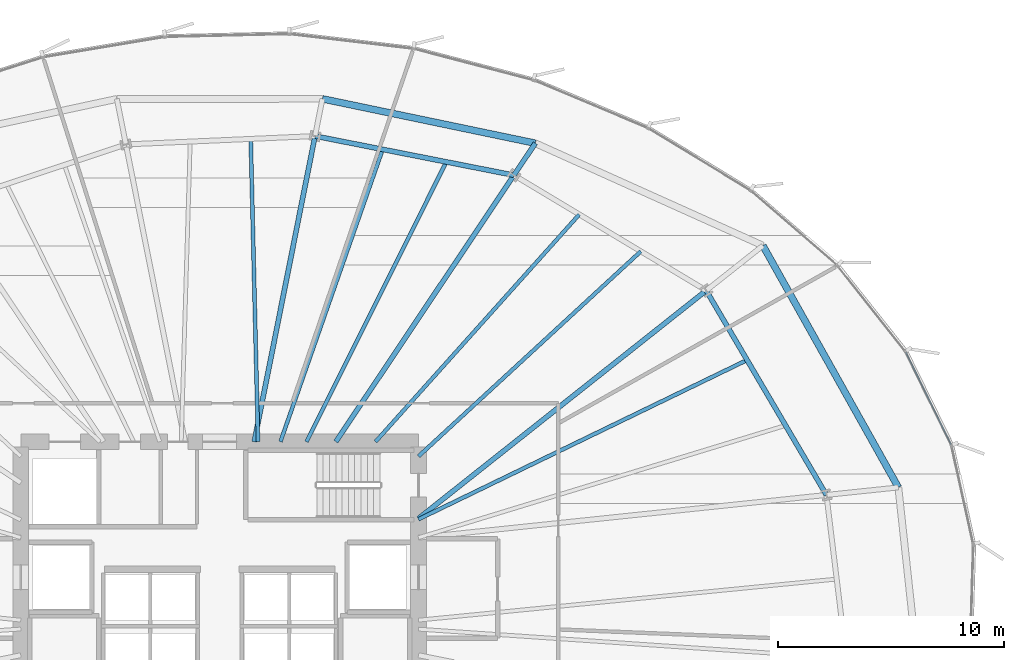
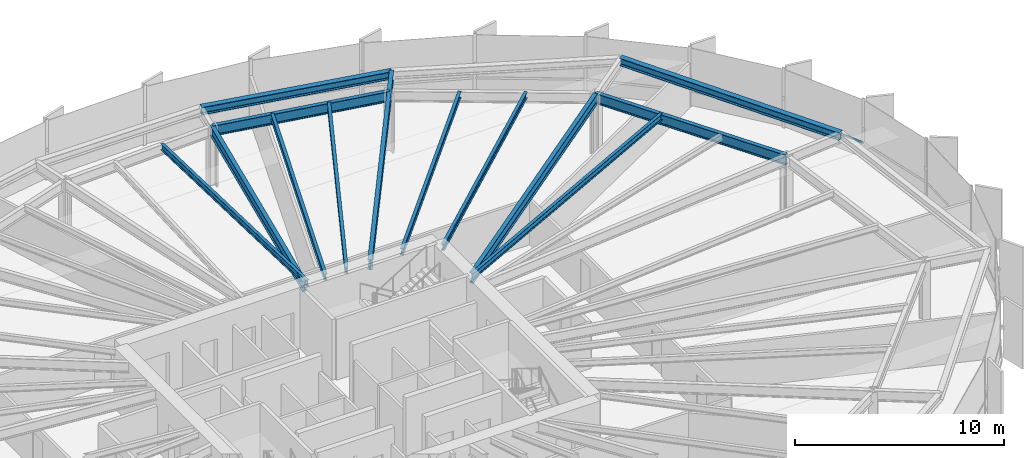
# One storey, part 23 of 38: 14 beams, 1 member, 1 element without a shape of its own.
"""IFC4 building model written with IfcOpenShell, lengths in metres."""

from ifc_helpers import new_model, si_unit, direction, frame, origin, origin_2d, place, context, subcontext, project, spatial, hollow_rectangle, i_section, extrude, source, transform, mapped, material, layer, layer_set, material_profile, profile_set, type_object, element, aggregate, save


model = new_model("IFC4")

# Units and contexts
model_context = context("Model", 3, precision=1e-05, world=origin(), true_north=direction((0.0, 1.0)))
body_context = subcontext(model_context, "Body", "Model", "MODEL_VIEW")
ifc_project = project(units=[si_unit("LENGTHUNIT", "METRE"), si_unit("AREAUNIT", "SQUARE_METRE"), si_unit("VOLUMEUNIT", "CUBIC_METRE"), si_unit("PLANEANGLEUNIT", "RADIAN"), si_unit("MASSUNIT", "GRAM", prefix="KILO"), si_unit("THERMODYNAMICTEMPERATUREUNIT", "KELVIN")], contexts=[model_context])

# Site, building, storey
site_placement = place(None, origin())
site = spatial("IfcSite", under=ifc_project, at=site_placement, CompositionType="ELEMENT")
building_placement = place(site_placement, origin())
building = spatial("IfcBuilding", under=site, at=building_placement, Name="Kethvar Cultural Tower", CompositionType="ELEMENT")
storey_placement = place(building_placement, frame((0.0, 0.0, 52.39990234375)))
storey = spatial("IfcBuildingStorey", under=building, at=storey_placement, Name="L12", CompositionType="ELEMENT", Elevation=52.39990234375)

# Beams
ifc_material_1 = material(Name="Steel S355J2", Category="steel")
ifc_material_profile_1 = material_profile(ifc_material_1, i_section(OverallWidth=0.219970703125, OverallDepth=0.60009765625, WebThickness=0.011962890625, FlangeThickness=0.01904296875, FilletRadius=0.02392578125, at=origin_2d()), Name="Steel S355J2 — IPE600")
ifc_profile_set_1 = profile_set([ifc_material_profile_1], Name="Steel S355J2 — IPE600")
beam_type_1 = type_object("IfcBeamType", Name="BM-IPE600", PredefinedType="BEAM", material=ifc_profile_set_1)
shared_shape_1 = source(origin(), body_context, "Body", "SweptSolid", [
    extrude(i_section(OverallWidth=0.219970703125, OverallDepth=0.60009765625, WebThickness=0.011962890625, FlangeThickness=0.01904296875, FilletRadius=0.02392578125, at=origin_2d()), origin(), (0.0, 0.0, 1.0), 16.248779296875),
])
beam_1_placement = place(storey_placement, frame((55.60009765625, 32.10009765625, 3.248046875), z_axis=(0.783831288624, 0.620973840813, 0.0), x_axis=(-0.620973840813, 0.783831288624, 0.0)))
element("IfcBeam", 1, at=beam_1_placement, inside=storey, type_object=beam_type_1, Name="L12 Primary Radial Beam RB-02", PredefinedType="BEAM", context=body_context, shape_type="MappedRepresentation", body=[
    mapped(shared_shape_1, transform((0.0, 0.0, 0.0), scale=1.0)),
])
shared_shape_2 = source(origin(), body_context, "Body", "SweptSolid", [
    extrude(i_section(OverallWidth=0.219970703125, OverallDepth=0.60009765625, WebThickness=0.011962890625, FlangeThickness=0.01904296875, FilletRadius=0.02392578125, at=origin_2d()), origin(), (0.0, 0.0, 1.0), 14.18359375),
])
beam_2_placement = place(storey_placement, frame((51.945068359375, 35.5, 3.248046875), z_axis=(0.55556584065, 0.831472547174, 0.0), x_axis=(-0.831472547174, 0.55556584065, 0.0)))
element("IfcBeam", 2, at=beam_2_placement, inside=storey, type_object=beam_type_1, Name="L12 Primary Radial Beam RB-03", PredefinedType="BEAM", context=body_context, shape_type="MappedRepresentation", body=[
    mapped(shared_shape_2, transform((0.0, 0.0, 0.0), scale=1.0)),
])
shared_shape_3 = source(origin(), body_context, "Body", "SweptSolid", [
    extrude(i_section(OverallWidth=0.219970703125, OverallDepth=0.60009765625, WebThickness=0.011962890625, FlangeThickness=0.01904296875, FilletRadius=0.02392578125, at=origin_2d()), origin(), (0.0, 0.0, 1.0), 13.791015625),
])
beam_3_placement = place(storey_placement, frame((48.33154296875, 35.5, 3.248046875), z_axis=(0.195104916429, 0.980782377281, 0.0), x_axis=(-0.980782377281, 0.195104916429, 0.0)))
element("IfcBeam", 3, at=beam_3_placement, inside=storey, type_object=beam_type_1, Name="L12 Primary Radial Beam RB-04", PredefinedType="BEAM", context=body_context, shape_type="MappedRepresentation", body=[
    mapped(shared_shape_3, transform((0.0, 0.0, 0.0), scale=1.0)),
])
shared_shape_4 = source(origin(), body_context, "Body", "SweptSolid", [
    extrude(i_section(OverallWidth=0.219970703125, OverallDepth=0.60009765625, WebThickness=0.011962890625, FlangeThickness=0.01904296875, FilletRadius=0.02392578125, at=origin_2d()), origin(), (0.0, 0.0, 1.0), 10.496337890625),
])
beam_4_placement = place(storey_placement, frame((73.65673828125, 33.14208984375, 3.248046875), z_axis=(-0.506871712474, 0.862021500366, 0.0), x_axis=(-0.862021500366, -0.506871712474, 0.0)))
element("IfcBeam", 4, at=beam_4_placement, inside=storey, type_object=beam_type_1, Name="L12 Column Ring Tie Beam CR-01", PredefinedType="BEAM", context=body_context, shape_type="MappedRepresentation", body=[
    mapped(shared_shape_4, transform((0.0, 0.0, 0.0), scale=1.0)),
])
ifc_material_profile_2 = material_profile(ifc_material_1, i_section(OverallWidth=0.169921875, OverallDepth=0.360107421875, WebThickness=0.008056640625, FlangeThickness=0.0126953125, FilletRadius=0.01806640625, at=origin_2d()), Name="Steel S355J2 — IPE360")
ifc_profile_set_2 = profile_set([ifc_material_profile_2], Name="Steel S355J2 — IPE360")
beam_type_2 = type_object("IfcBeamType", Name="BM-J360", PredefinedType="JOIST", material=ifc_profile_set_2)
shared_shape_5 = source(origin(), body_context, "Body", "SweptSolid", [
    extrude(i_section(OverallWidth=0.169921875, OverallDepth=0.360107421875, WebThickness=0.008056640625, FlangeThickness=0.0126953125, FilletRadius=0.01806640625, at=origin_2d()), origin(), (0.0, 0.0, 1.0), 16.163330078125),
])
beam_5_placement = place(storey_placement, frame((55.60009765625, 32.064697265625, 3.3681640625), z_axis=(0.899890099721, 0.436116737151, 0.0), x_axis=(-0.436116737151, 0.899890099721, 0.0)))
element("IfcBeam", 5, at=beam_5_placement, inside=storey, type_object=beam_type_2, Name="L12 Composite Floor Joist J-01B", PredefinedType="JOIST", context=body_context, shape_type="MappedRepresentation", body=[
    mapped(shared_shape_5, transform((0.0, 0.0, 0.0), scale=1.0)),
])
shared_shape_6 = source(origin(), body_context, "Body", "SweptSolid", [
    extrude(i_section(OverallWidth=0.169921875, OverallDepth=0.360107421875, WebThickness=0.008056640625, FlangeThickness=0.0126953125, FilletRadius=0.01806640625, at=origin_2d()), origin(), (0.0, 0.0, 1.0), 13.3876953125),
])
beam_6_placement = place(storey_placement, frame((55.60009765625, 34.85009765625, 3.3681640625), z_axis=(0.735175283276, 0.677877055859, 0.0), x_axis=(-0.677877055859, 0.735175283276, 0.0)))
element("IfcBeam", 6, at=beam_6_placement, inside=storey, type_object=beam_type_2, Name="L12 Composite Floor Joist J-02A", PredefinedType="JOIST", context=body_context, shape_type="MappedRepresentation", body=[
    mapped(shared_shape_6, transform((0.0, 0.0, 0.0), scale=1.0)),
])
shared_shape_7 = source(origin(), body_context, "Body", "SweptSolid", [
    extrude(i_section(OverallWidth=0.169921875, OverallDepth=0.360107421875, WebThickness=0.008056640625, FlangeThickness=0.0126953125, FilletRadius=0.01806640625, at=origin_2d()), origin(), (0.0, 0.0, 1.0), 13.508056640625),
])
beam_7_placement = place(storey_placement, frame((53.702392578125, 35.5, 3.3681640625), z_axis=(0.667503553274, 0.744606611821, 0.0), x_axis=(-0.744606611821, 0.667503553274, 0.0)))
element("IfcBeam", 7, at=beam_7_placement, inside=storey, type_object=beam_type_2, Name="L12 Composite Floor Joist J-02B", PredefinedType="JOIST", context=body_context, shape_type="MappedRepresentation", body=[
    mapped(shared_shape_7, transform((0.0, 0.0, 0.0), scale=1.0)),
])
shared_shape_8 = source(origin(), body_context, "Body", "SweptSolid", [
    extrude(i_section(OverallWidth=0.219970703125, OverallDepth=0.60009765625, WebThickness=0.011962890625, FlangeThickness=0.01904296875, FilletRadius=0.02392578125, at=origin_2d()), origin(), (0.0, 0.0, 1.0), 8.9716796875),
])
beam_8_placement = place(storey_placement, frame((59.824951171875, 47.293212890625, 3.248046875), z_axis=(-0.981173751046, 0.193127083181, 0.0), x_axis=(-0.193127083181, -0.981173751046, 0.0)))
element("IfcBeam", 8, at=beam_8_placement, inside=storey, type_object=beam_type_1, Name="L12 Column Ring Tie Beam CR-03", PredefinedType="BEAM", context=body_context, shape_type="MappedRepresentation", body=[
    mapped(shared_shape_8, transform((0.0, 0.0, 0.0), scale=1.0)),
])
shared_shape_9 = source(origin(), body_context, "Body", "SweptSolid", [
    extrude(i_section(OverallWidth=0.169921875, OverallDepth=0.360107421875, WebThickness=0.008056640625, FlangeThickness=0.0126953125, FilletRadius=0.01806640625, at=origin_2d()), origin(), (0.0, 0.0, 1.0), 13.84130859375),
])
beam_9_placement = place(storey_placement, frame((50.646484375, 35.5, 3.3681640625), z_axis=(0.446889017672, 0.894589406311, 0.0), x_axis=(-0.894589406311, 0.446889017672, 0.0)))
element("IfcBeam", 9, at=beam_9_placement, inside=storey, type_object=beam_type_2, Name="L12 Composite Floor Joist J-03A", PredefinedType="JOIST", context=body_context, shape_type="MappedRepresentation", body=[
    mapped(shared_shape_9, transform((0.0, 0.0, 0.0), scale=1.0)),
])
shared_shape_10 = source(origin(), body_context, "Body", "SweptSolid", [
    extrude(i_section(OverallWidth=0.169921875, OverallDepth=0.360107421875, WebThickness=0.008056640625, FlangeThickness=0.0126953125, FilletRadius=0.01806640625, at=origin_2d()), origin(), (0.0, 0.0, 1.0), 13.70458984375),
])
beam_10_placement = place(storey_placement, frame((49.4921875, 35.5, 3.3681640625), z_axis=(0.330030618422, 0.943970227764, 0.0), x_axis=(-0.943970227764, 0.330030618422, 0.0)))
element("IfcBeam", 10, at=beam_10_placement, inside=storey, type_object=beam_type_2, Name="L12 Composite Floor Joist J-03B", PredefinedType="JOIST", context=body_context, shape_type="MappedRepresentation", body=[
    mapped(shared_shape_10, transform((0.0, 0.0, 0.0), scale=1.0)),
])
shared_shape_11 = source(origin(), body_context, "Body", "SweptSolid", [
    extrude(i_section(OverallWidth=0.169921875, OverallDepth=0.360107421875, WebThickness=0.008056640625, FlangeThickness=0.0126953125, FilletRadius=0.01806640625, at=origin_2d()), origin(), (0.0, 0.0, 1.0), 13.40380859375),
])
beam_11_placement = place(storey_placement, frame((48.5, 35.5, 3.3681640625), z_axis=(-0.024170322554, 0.999707855079, 0.0), x_axis=(-0.999707855079, -0.024170322554, 0.0)))
element("IfcBeam", 11, at=beam_11_placement, inside=storey, type_object=beam_type_2, Name="L12 Composite Floor Joist J-04A", PredefinedType="JOIST", context=body_context, shape_type="MappedRepresentation", body=[
    mapped(shared_shape_11, transform((0.0, 0.0, 0.0), scale=1.0)),
])
ifc_material_profile_3 = material_profile(ifc_material_1, i_section(OverallWidth=0.300048828125, OverallDepth=0.449951171875, WebThickness=0.013916015625, FlangeThickness=0.02587890625, FilletRadius=0.027099609375, at=origin_2d()), Name="Steel S355J2 — HEB450")
ifc_profile_set_3 = profile_set([ifc_material_profile_3], Name="Steel S355J2 — HEB450")
beam_type_3 = type_object("IfcBeamType", Name="BM-SP450", PredefinedType="SPANDREL", material=ifc_profile_set_3)
shared_shape_12 = source(origin(), body_context, "Body", "SweptSolid", [
    extrude(i_section(OverallWidth=0.300048828125, OverallDepth=0.449951171875, WebThickness=0.013916015625, FlangeThickness=0.02587890625, FilletRadius=0.027099609375, at=origin_2d()), origin(), (0.0, 0.0, 1.0), 12.266357421875),
])
beam_12_placement = place(storey_placement, frame((76.83935546875, 33.4755859375, 3.322998046875), z_axis=(-0.488708822027, 0.872446953845, 0.0), x_axis=(-0.872446953845, -0.488708822027, 0.0)))
element("IfcBeam", 12, at=beam_12_placement, inside=storey, type_object=beam_type_3, Name="L12 Perimeter Spandrel Beam SP-01", PredefinedType="SPANDREL", context=body_context, shape_type="MappedRepresentation", body=[
    mapped(shared_shape_12, transform((0.0, 0.0, 0.0), scale=1.0)),
])
shared_shape_13 = source(origin(), body_context, "Body", "SweptSolid", [
    extrude(i_section(OverallWidth=0.219970703125, OverallDepth=0.60009765625, WebThickness=0.011962890625, FlangeThickness=0.01904296875, FilletRadius=0.02392578125, at=origin_2d()), origin(), (0.0, 0.0, 1.0), 1.702392578125),
])
beam_13_placement = place(storey_placement, frame((59.824951171875, 47.293212890625, 3.248046875), z_axis=(0.555560344141, 0.831476219755, 0.0), x_axis=(-0.831476219755, 0.555560344141, 0.0)))
element("IfcBeam", 13, at=beam_13_placement, inside=storey, type_object=beam_type_1, Name="L12 Perimeter Cantilever Beam RC-03", PredefinedType="BEAM", context=body_context, shape_type="MappedRepresentation", body=[
    mapped(shared_shape_13, transform((0.0, 0.0, 0.0), scale=1.0)),
])
shared_shape_14 = source(origin(), body_context, "Body", "SweptSolid", [
    extrude(i_section(OverallWidth=0.300048828125, OverallDepth=0.449951171875, WebThickness=0.013916015625, FlangeThickness=0.02587890625, FilletRadius=0.027099609375, at=origin_2d()), origin(), (0.0, 0.0, 1.0), 9.62353515625),
])
beam_14_placement = place(storey_placement, frame((60.770751953125, 48.708740234375, 3.322998046875), z_axis=(-0.978940722505, 0.204144708044, 0.0), x_axis=(-0.204144708044, -0.978940722505, 0.0)))
element("IfcBeam", 14, at=beam_14_placement, inside=storey, type_object=beam_type_3, Name="L12 Perimeter Spandrel Beam SP-03", PredefinedType="SPANDREL", context=body_context, shape_type="MappedRepresentation", body=[
    mapped(shared_shape_14, transform((0.0, 0.0, 0.0), scale=1.0)),
])

# Curtain wall, member
ifc_material_2 = material(Name="Aluminium 6063-T6", Category="aluminium")
ifc_layer = layer(ifc_material_2, 0.179931640625, Name="Aluminium 6063-T6", Category="aluminium")
ifc_layer_set = layer_set([ifc_layer], Name="Aluminium 6063-T6 (180 mm)")
curtain_wall_type = type_object("IfcCurtainWallType", Name="CW-SYS-02-Z1", PredefinedType="NOTDEFINED", material=ifc_layer_set)
curtain_wall_placement = place(storey_placement, origin())
curtain_wall = element("IfcCurtainWall", 15, at=curtain_wall_placement, inside=storey, type_object=curtain_wall_type, Name="L12 Curtain Wall Run 01", PredefinedType="NOTDEFINED")
ifc_material_profile_4 = material_profile(ifc_material_2, hollow_rectangle(XDim=0.054931640625, YDim=0.1201171875, WallThickness=0.00390625, at=origin_2d()), Name="Aluminium 6063-T6 — RHS120x55x4")
ifc_profile_set_4 = profile_set([ifc_material_profile_4], Name="Aluminium 6063-T6 — RHS120x55x4")
member_type = type_object("IfcMemberType", Name="CW-SYS-02-Z1-TRN", PredefinedType="USERDEFINED", material=ifc_profile_set_4)
shared_shape_15 = source(origin(), body_context, "Body", "SweptSolid", [
    extrude(hollow_rectangle(XDim=0.054931640625, YDim=0.1201171875, WallThickness=0.00390625, at=origin_2d()), origin(), (0.0, 0.0, 1.0), 4.55908203125),
])
member_placement = place(storey_placement, frame((79.174560546875, 35.3701171875, 0.9501953125), z_axis=(-0.440238487119, 0.897880879883, 0.0), x_axis=(-0.897880879883, -0.440238487119, 0.0)))
member = element("IfcMember", 16, at=member_placement, type_object=member_type, Name="CW-L12-R01 Transom 2", ObjectType="TRANSOM", PredefinedType="USERDEFINED", context=body_context, shape_type="MappedRepresentation", body=[
    mapped(shared_shape_15, transform((0.0, 0.0, 0.0), scale=1.0)),
])
aggregate(curtain_wall, [member])

save(model, "model.ifc")
